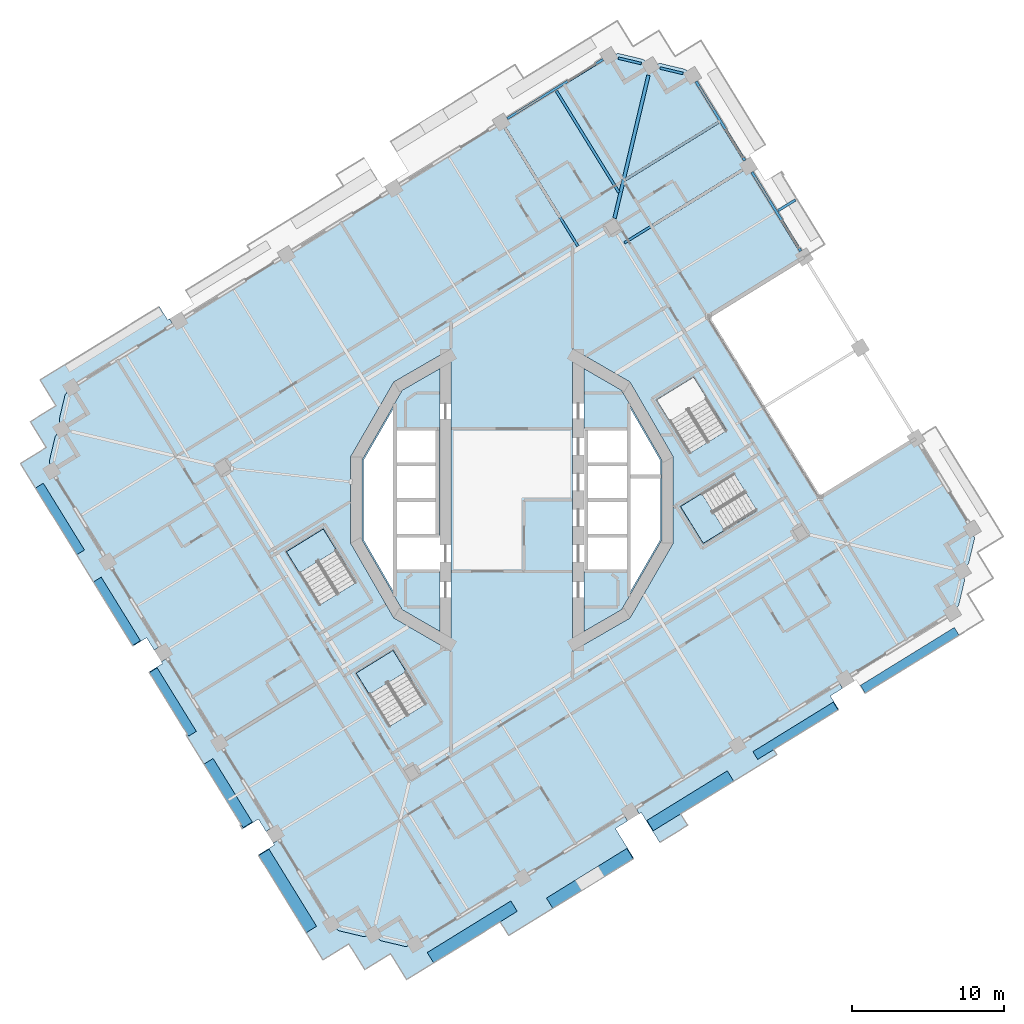
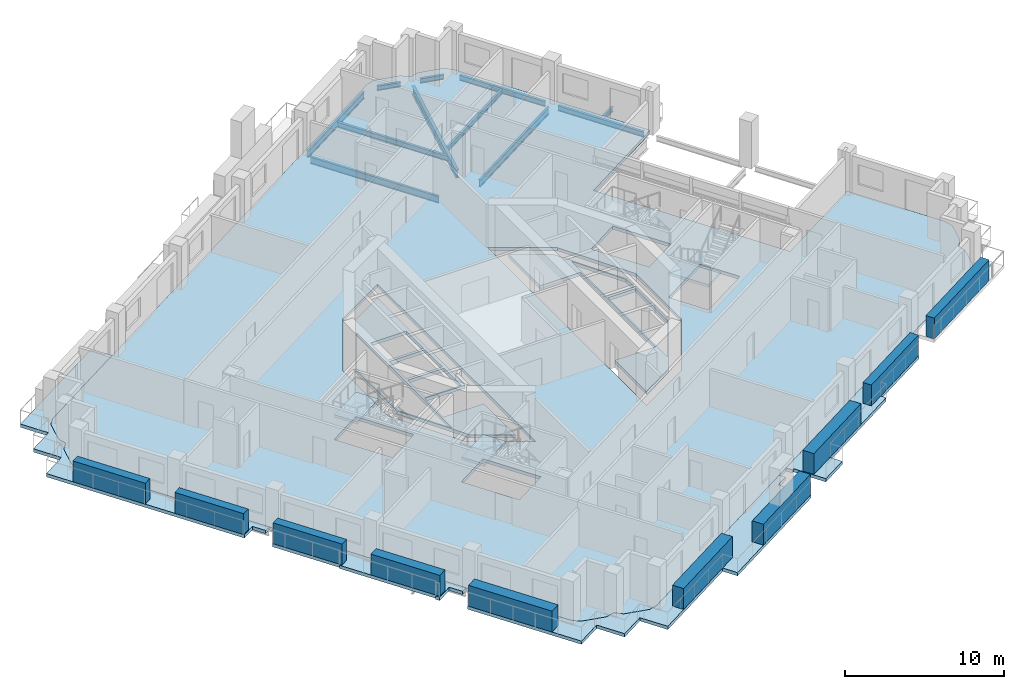
# One storey, part 5 of 21: 11 beams, 10 plates, 10 slabs, 3 elements without a shape of their own.
"""IFC4 building model written with IfcOpenShell, lengths in metres."""

from ifc_helpers import new_model, si_unit, direction, frame, origin, origin_2d, place, context, subcontext, project, spatial, polyline, rectangle, i_section, outline, extrude, material, layer, layer_set, material_profile, profile_set, type_object, element, aggregate, save


model = new_model("IFC4")

# Units and contexts
model_context = context("Model", 3, precision=1e-05, world=origin(), true_north=direction((0.0, 1.0)))
body_context = subcontext(model_context, "Body", "Model", "MODEL_VIEW")
ifc_project = project(units=[si_unit("LENGTHUNIT", "METRE"), si_unit("AREAUNIT", "SQUARE_METRE"), si_unit("VOLUMEUNIT", "CUBIC_METRE"), si_unit("PLANEANGLEUNIT", "RADIAN"), si_unit("MASSUNIT", "GRAM", prefix="KILO")], contexts=[model_context])

# Site, building, storey
site_placement = place(None, origin())
site = spatial("IfcSite", under=ifc_project, at=site_placement, CompositionType="ELEMENT")
building_placement = place(site_placement, origin())
building = spatial("IfcBuilding", under=site, at=building_placement, Name="Cantera Rosa Tower", CompositionType="ELEMENT")
storey_placement = place(building_placement, frame((0.0, 0.0, 185.60009765625)))
storey = spatial("IfcBuildingStorey", under=building, at=storey_placement, Name="L41", CompositionType="ELEMENT", Elevation=185.60009765625)

# Beams
ifc_material_1 = material(Name="Steel ASTM A992 (Fy 345 MPa)", Category="steel")
ifc_material_profile_1 = material_profile(ifc_material_1, i_section(OverallWidth=0.166015625, OverallDepth=0.528076171875, WebThickness=0.009765625, FlangeThickness=0.013671875, FilletRadius=0.0126953125, at=origin_2d()), Name="W530X74")
ifc_profile_set_1 = profile_set([ifc_material_profile_1], Name="Steel ASTM A992 (Fy 345 MPa)")
beam_type_1 = type_object("IfcBeamType", Name="STEEL BEAM W530X74", PredefinedType="BEAM", material=ifc_profile_set_1)
beam_1_placement = place(storey_placement, frame((15.19677734375, 21.745361328125, -0.51416015625), z_axis=(-0.851123779764, -0.524965057427, 0.0), x_axis=(0.524965057427, -0.851123779764, 0.0)))
element("IfcBeam", 1, at=beam_1_placement, inside=storey, type_object=beam_type_1, Name="G-Z3-04 L41", PredefinedType="BEAM", context=body_context, shape_type="SweptSolid", body=[
    extrude(i_section(OverallWidth=0.166015625, OverallDepth=0.528076171875, WebThickness=0.009765625, FlangeThickness=0.013671875, FilletRadius=0.0126953125, at=origin_2d()), origin(), (0.0, 0.0, 1.0), 9.150146484375),
])
beam_2_placement = place(storey_placement, frame((-0.455078125, 24.51025390625, -0.51416015625), z_axis=(0.524976979362, -0.851116426313, 0.0), x_axis=(0.851116426313, 0.524976979362, 0.0)))
element("IfcBeam", 2, at=beam_2_placement, inside=storey, type_object=beam_type_1, Name="G-Z3-05 L41", PredefinedType="BEAM", context=body_context, shape_type="SweptSolid", body=[
    extrude(i_section(OverallWidth=0.166015625, OverallDepth=0.528076171875, WebThickness=0.009765625, FlangeThickness=0.013671875, FilletRadius=0.0126953125, at=origin_2d()), origin(), (0.0, 0.0, 1.0), 9.14990234375),
])
ifc_material_2 = material(Name="Steel ASTM A992 (Fy 345 MPa)", Category="steel")
ifc_material_profile_2 = material_profile(ifc_material_2, i_section(OverallWidth=0.22802734375, OverallDepth=0.60205078125, WebThickness=0.010498046875, FlangeThickness=0.014892578125, FilletRadius=0.0126953125, at=origin_2d()), Name="W610X101")
ifc_profile_set_2 = profile_set([ifc_material_profile_2], Name="Steel ASTM A992 (Fy 345 MPa)")
beam_type_2 = type_object("IfcBeamType", Name="STEEL BEAM W610X101", PredefinedType="BEAM", material=ifc_profile_set_2)
beam_3_placement = place(storey_placement, frame((8.995361328125, 27.989501953125, -0.551025390625), z_axis=(-0.230622120091, -0.973043389436, 0.0), x_axis=(0.973043389436, -0.230622120091, 0.0)))
element("IfcBeam", 3, at=beam_3_placement, inside=storey, type_object=beam_type_2, Name="CB-Z3-01 L41", PredefinedType="BEAM", context=body_context, shape_type="SweptSolid", body=[
    extrude(i_section(OverallWidth=0.22802734375, OverallDepth=0.60205078125, WebThickness=0.010498046875, FlangeThickness=0.014892578125, FilletRadius=0.0126953125, at=origin_2d()), origin(), (0.0, 0.0, 1.0), 9.6875),
])
ifc_material_3 = material(Name="Steel ASTM A992 (Fy 345 MPa)", Category="steel")
ifc_material_profile_3 = material_profile(ifc_material_3, i_section(OverallWidth=0.1708984375, OverallDepth=0.35595703125, WebThickness=0.00732421875, FlangeThickness=0.01171875, FilletRadius=0.010009765625, at=origin_2d()), Name="W360X51")
ifc_profile_set_3 = profile_set([ifc_material_profile_3], Name="Steel ASTM A992 (Fy 345 MPa)")
beam_type_3 = type_object("IfcBeamType", Name="STEEL JOIST W360X51", PredefinedType="JOIST", material=ifc_profile_set_3)
beam_4_placement = place(storey_placement, frame((13.609375, 24.890380859375, -0.427978515625), z_axis=(-0.851109089911, -0.524988873283, 0.0), x_axis=(0.524988873283, -0.851109089911, 0.0)))
element("IfcBeam", 4, at=beam_4_placement, inside=storey, type_object=beam_type_3, Name="B-Z3-05 L41", PredefinedType="JOIST", context=body_context, shape_type="SweptSolid", body=[
    extrude(i_section(OverallWidth=0.1708984375, OverallDepth=0.35595703125, WebThickness=0.00732421875, FlangeThickness=0.01171875, FilletRadius=0.010009765625, at=origin_2d()), origin(), (0.0, 0.0, 1.0), 7.2099609375),
])
beam_5_placement = place(storey_placement, frame((17.532958984375, 19.0625, -0.427978515625), z_axis=(0.851111635158, 0.52498474692, 0.0), x_axis=(-0.52498474692, 0.851111635158, 0.0)))
element("IfcBeam", 5, at=beam_5_placement, inside=storey, type_object=beam_type_3, Name="BS-Z3-28 L41", PredefinedType="JOIST", context=body_context, shape_type="SweptSolid", body=[
    extrude(i_section(OverallWidth=0.1708984375, OverallDepth=0.35595703125, WebThickness=0.00732421875, FlangeThickness=0.01171875, FilletRadius=0.010009765625, at=origin_2d()), origin(), (0.0, 0.0, 1.0), 1.3505859375),
])
ifc_material_4 = material(Name="Steel ASTM A992 (Fy 345 MPa)", Category="steel")
ifc_material_profile_4 = material_profile(ifc_material_4, i_section(OverallWidth=0.177978515625, OverallDepth=0.406005859375, WebThickness=0.0078125, FlangeThickness=0.0126953125, FilletRadius=0.01025390625, at=origin_2d()), Name="W410X60")
ifc_profile_set_4 = profile_set([ifc_material_profile_4], Name="Steel ASTM A992 (Fy 345 MPa)")
beam_type_4 = type_object("IfcBeamType", Name="STEEL JOIST W410X60", PredefinedType="JOIST", material=ifc_profile_set_4)
beam_6_placement = place(storey_placement, frame((2.927978515625, 26.949462890625, -0.453125), z_axis=(0.524994840515, -0.85110540912, 0.0), x_axis=(0.85110540912, 0.524994840515, 0.0)))
element("IfcBeam", 6, at=beam_6_placement, inside=storey, type_object=beam_type_4, Name="B-Z3-06 L41", PredefinedType="JOIST", context=body_context, shape_type="SweptSolid", body=[
    extrude(i_section(OverallWidth=0.177978515625, OverallDepth=0.406005859375, WebThickness=0.0078125, FlangeThickness=0.0126953125, FilletRadius=0.01025390625, at=origin_2d()), origin(), (0.0, 0.0, 1.0), 7.860107421875),
])
ifc_material_5 = material(Name="Steel ASTM A992 (Fy 345 MPa)", Category="steel")
ifc_material_profile_5 = material_profile(ifc_material_5, i_section(OverallWidth=0.1708984375, OverallDepth=0.35595703125, WebThickness=0.00732421875, FlangeThickness=0.01171875, FilletRadius=0.010009765625, at=origin_2d()), Name="W360X51")
ifc_profile_set_5 = profile_set([ifc_material_profile_5], Name="Steel ASTM A992 (Fy 345 MPa)")
beam_type_5 = type_object("IfcBeamType", Name="STEEL SPANDREL BEAM W360X51", PredefinedType="SPANDREL", material=ifc_profile_set_5)
for number, where, z_axis, x_axis, name in (
    (7, (11.275146484375, 28.103271484375, -0.427978515625), (-0.973059906546, 0.230552419793, 0.0), (-0.230552419793, -0.973059906546, 0.0), "EB-Z3-06 L41"),
    (8, (8.52294921875, 28.755615234375, -0.427978515625), (-0.973059906546, 0.230552419793, 0.0), (-0.230552419793, -0.973059906546, 0.0), "EB-Z3-07 L41"),
):
    element("IfcBeam", number, at=place(storey_placement, frame(where, z_axis=z_axis, x_axis=x_axis)), inside=storey, type_object=beam_type_5, Name=name, PredefinedType="SPANDREL", context=body_context, shape_type="SweptSolid", body=[
        extrude(i_section(OverallWidth=0.1708984375, OverallDepth=0.35595703125, WebThickness=0.00732421875, FlangeThickness=0.01171875, FilletRadius=0.010009765625, at=origin_2d()), origin(), (0.0, 0.0, 1.0), 1.5556640625),
    ])
ifc_material_6 = material(Name="Steel ASTM A992 (Fy 345 MPa)", Category="steel")
ifc_material_profile_6 = material_profile(ifc_material_6, i_section(OverallWidth=0.177978515625, OverallDepth=0.406005859375, WebThickness=0.0078125, FlangeThickness=0.0126953125, FilletRadius=0.01025390625, at=origin_2d()), Name="W410X60")
ifc_profile_set_6 = profile_set([ifc_material_profile_6], Name="Steel ASTM A992 (Fy 345 MPa)")
beam_type_6 = type_object("IfcBeamType", Name="STEEL SPANDREL BEAM W410X60", PredefinedType="SPANDREL", material=ifc_profile_set_6)
for number, where, z_axis, x_axis, name in (
    (9, (19.02880859375, 16.389892578125, -0.453125), (-0.524987447654, 0.851109969279, 0.0), (-0.851109969279, -0.524987447654, 0.0), "EB-Z3-04 L41"),
    (10, (15.343505859375, 22.36474609375, -0.453125), (-0.524987447654, 0.851109969279, 0.0), (-0.851109969279, -0.524987447654, 0.0), "EB-Z3-05 L41"),
):
    element("IfcBeam", number, at=place(storey_placement, frame(where, z_axis=z_axis, x_axis=x_axis)), inside=storey, type_object=beam_type_6, Name=name, PredefinedType="SPANDREL", context=body_context, shape_type="SweptSolid", body=[
        extrude(i_section(OverallWidth=0.177978515625, OverallDepth=0.406005859375, WebThickness=0.0078125, FlangeThickness=0.0126953125, FilletRadius=0.01025390625, at=origin_2d()), origin(), (0.0, 0.0, 1.0), 6.119873046875),
    ])
ifc_material_7 = material(Name="Steel ASTM A992 (Fy 345 MPa)", Category="steel")
ifc_material_profile_7 = material_profile(ifc_material_7, i_section(OverallWidth=0.166015625, OverallDepth=0.528076171875, WebThickness=0.009765625, FlangeThickness=0.013671875, FilletRadius=0.0126953125, at=origin_2d()), Name="W530X74")
ifc_profile_set_7 = profile_set([ifc_material_profile_7], Name="Steel ASTM A992 (Fy 345 MPa)")
beam_type_7 = type_object("IfcBeamType", Name="STEEL SPANDREL BEAM W530X74", PredefinedType="SPANDREL", material=ifc_profile_set_7)
beam_7_placement = place(storey_placement, frame((6.007080078125, 29.02490234375, -0.51416015625), z_axis=(-0.851111085575, -0.524985637909, 0.0), x_axis=(0.524985637909, -0.851111085575, 0.0)))
element("IfcBeam", 11, at=beam_7_placement, inside=storey, type_object=beam_type_7, Name="EB-Z3-08 L41", PredefinedType="SPANDREL", context=body_context, shape_type="SweptSolid", body=[
    extrude(i_section(OverallWidth=0.166015625, OverallDepth=0.528076171875, WebThickness=0.009765625, FlangeThickness=0.013671875, FilletRadius=0.0126953125, at=origin_2d()), origin(), (0.0, 0.0, 1.0), 7.420166015625),
])

# Slabs
ifc_material_8 = material(Name="Concrete C35/45", Category="concrete")
ifc_layer_1 = layer(ifc_material_8, 0.25)
ifc_layer_set_1 = layer_set([ifc_layer_1], Name="COMPOSITE FLOOR SLAB 250 C35/45")
slab_type_1 = type_object("IfcSlabType", Name="COMPOSITE FLOOR SLAB 250 C35/45", PredefinedType="FLOOR", material=ifc_layer_set_1)
slab_1_placement = place(storey_placement, frame((0.0, 0.0, -0.25)))
element("IfcSlab", 12, at=slab_1_placement, inside=storey, type_object=slab_type_1, Name="SLAB L41 floor 1", PredefinedType="FLOOR", context=body_context, shape_type="SweptSolid", body=[
    extrude(outline(polyline([(-7.699951171875, -2.35009765625), (-7.699951171875, -4.699951171875), (-4.75, -4.699951171875), (-4.75, -8.660400390625), (-7.22900390625, -7.22900390625), (-9.875244140625, -2.64599609375), (-9.875244140625, 2.64599609375), (-7.22900390625, 7.22900390625), (-4.75, 8.660400390625), (-4.75, -2.35009765625), (-7.699951171875, -2.35009765625)]), holes=[polyline([(-7.60009765625, -0.10009765625), (-7.60009765625, -2.25), (-5.0, -2.25), (-5.0, -0.10009765625), (-7.60009765625, -0.10009765625)]), polyline([(-7.800048828125, 6.040283203125), (-9.775146484375, 2.619384765625), (-9.775146484375, -2.619384765625), (-7.800048828125, -6.040283203125), (-7.800048828125, 6.040283203125)]), polyline([(-5.0, 2.25), (-7.60009765625, 2.25), (-7.60009765625, 0.10009765625), (-5.0, 0.10009765625), (-5.0, 2.25)]), polyline([(-5.0, 4.60009765625), (-7.60009765625, 4.60009765625), (-7.60009765625, 2.449951171875), (-5.0, 2.449951171875), (-5.0, 4.60009765625)])]), origin(), (0.0, 0.0, 1.0), 0.25),
])
slab_2_placement = place(storey_placement, frame((0.0, 0.0, -0.25)))
element("IfcSlab", 13, at=slab_2_placement, inside=storey, type_object=slab_type_1, Name="SLAB L41 floor 2", PredefinedType="FLOOR", context=body_context, shape_type="SweptSolid", body=[
    extrude(outline(polyline([(-8.647705078125, -29.0283203125), (-8.673828125, -29.014892578125), (-8.698486328125, -28.998779296875), (-8.721435546875, -28.98046875), (-9.14208984375, -28.60888671875), (-9.684814453125, -28.752197265625), (-9.713623046875, -28.75830078125), (-9.742919921875, -28.761474609375), (-9.772216796875, -28.76171875), (-9.801513671875, -28.75927734375), (-9.83056640625, -28.75390625), (-11.34423828125, -28.395263671875), (-11.37255859375, -28.386962890625), (-11.39990234375, -28.376220703125), (-11.426025390625, -28.362548828125), (-11.45068359375, -28.346435546875), (-11.4736328125, -28.328125), (-11.894287109375, -27.95654296875), (-12.408935546875, -27.122314453125), (-30.321044921875, 1.917724609375), (-30.46435546875, 2.460205078125), (-30.470458984375, 2.489013671875), (-30.4736328125, 2.518310546875), (-30.47412109375, 2.5478515625), (-30.4716796875, 2.5771484375), (-30.46630859375, 2.606201171875), (-30.107421875, 4.119873046875), (-30.09912109375, 4.148193359375), (-30.08837890625, 4.17529296875), (-30.07470703125, 4.20166015625), (-30.05859375, 4.226318359375), (-30.040283203125, 4.249267578125), (-29.668701171875, 4.669921875), (-29.81201171875, 5.21240234375), (-29.818115234375, 5.2412109375), (-29.8212890625, 5.2705078125), (-29.82177734375, 5.300048828125), (-29.8193359375, 5.329345703125), (-29.81396484375, 5.3583984375), (-29.455078125, 6.8720703125), (-29.447021484375, 6.900390625), (-29.43603515625, 6.927490234375), (-29.422607421875, 6.953857421875), (-29.406494140625, 6.978515625), (-29.38818359375, 7.00146484375), (-29.0166015625, 7.422119140625), (6.389892578125, 29.260986328125), (6.9326171875, 29.404296875), (6.96142578125, 29.410400390625), (6.99072265625, 29.413818359375), (7.02001953125, 29.4140625), (7.049560546875, 29.41162109375), (7.078369140625, 29.40625), (8.592041015625, 29.047607421875), (8.620361328125, 29.039306640625), (8.647705078125, 29.0283203125), (8.673828125, 29.014892578125), (8.698486328125, 28.998779296875), (8.721435546875, 28.98046875), (9.14208984375, 28.60888671875), (9.684814453125, 28.752197265625), (9.713623046875, 28.75830078125), (9.742919921875, 28.761474609375), (9.772216796875, 28.76171875), (9.801513671875, 28.75927734375), (9.83056640625, 28.75390625), (11.34423828125, 28.395263671875), (11.37255859375, 28.386962890625), (11.39990234375, 28.376220703125), (11.426025390625, 28.362548828125), (11.45068359375, 28.346435546875), (11.4736328125, 28.328125), (11.894287109375, 27.95654296875), (19.264892578125, 16.0068359375), (12.881591796875, 12.069580078125), (20.252197265625, 0.119873046875), (26.6357421875, 4.05712890625), (30.321044921875, -1.917724609375), (30.46435546875, -2.460205078125), (30.470458984375, -2.489013671875), (30.4736328125, -2.518310546875), (30.47412109375, -2.5478515625), (30.4716796875, -2.5771484375), (30.46630859375, -2.606201171875), (30.107421875, -4.119873046875), (30.09912109375, -4.148193359375), (30.08837890625, -4.17529296875), (30.07470703125, -4.20166015625), (30.05859375, -4.226318359375), (30.040283203125, -4.249267578125), (29.668701171875, -4.669921875), (29.81201171875, -5.21240234375), (29.818115234375, -5.2412109375), (29.8212890625, -5.2705078125), (29.82177734375, -5.300048828125), (29.8193359375, -5.329345703125), (29.81396484375, -5.3583984375), (29.455078125, -6.8720703125), (29.447021484375, -6.900390625), (29.43603515625, -6.927490234375), (29.422607421875, -6.953857421875), (29.406494140625, -6.978515625), (29.38818359375, -7.00146484375), (29.0166015625, -7.422119140625), (28.18212890625, -7.9365234375), (-6.389892578125, -29.260986328125), (-6.9326171875, -29.404296875), (-6.96142578125, -29.410400390625), (-6.99072265625, -29.413818359375), (-7.02001953125, -29.4140625), (-7.049560546875, -29.41162109375), (-7.078369140625, -29.40625), (-8.592041015625, -29.047607421875), (-8.620361328125, -29.039306640625), (-8.647705078125, -29.0283203125)]), holes=[polyline([(-5.658447265625, -13.433349609375), (-7.830810546875, -9.911376953125), (-10.256591796875, -11.407470703125), (-8.084228515625, -14.929443359375), (-5.658447265625, -13.433349609375)]), polyline([(-10.258544921875, -5.433349609375), (-12.430908203125, -1.911376953125), (-14.8564453125, -3.407470703125), (-12.68408203125, -6.929443359375), (-10.258544921875, -5.433349609375)]), polyline([(-7.7783203125, 7.7783203125), (-10.625244140625, 2.846923828125), (-10.625244140625, -2.846923828125), (-7.7783203125, -7.7783203125), (-4.0, -9.95947265625), (-4.0, 9.95947265625), (-7.7783203125, 7.7783203125)]), polyline([(14.63330078125, 1.741455078125), (11.111328125, -0.430908203125), (12.607421875, -2.8564453125), (16.12939453125, -0.68408203125), (14.63330078125, 1.741455078125)]), polyline([(7.7783203125, -7.7783203125), (10.625244140625, -2.846923828125), (10.625244140625, 2.846923828125), (7.7783203125, 7.7783203125), (4.0, 9.95947265625), (4.0, -9.95947265625), (7.7783203125, -7.7783203125)]), polyline([(11.7158203125, 3.070556640625), (14.1416015625, 4.566650390625), (11.96923828125, 8.088623046875), (9.54345703125, 6.592529296875), (11.7158203125, 3.070556640625)])]), origin(), (0.0, 0.0, 1.0), 0.25),
])
slab_3_placement = place(storey_placement, frame((0.0, 0.0, -0.25)))
element("IfcSlab", 14, at=slab_3_placement, inside=storey, type_object=slab_type_1, Name="SLAB L41 floor 3", PredefinedType="FLOOR", context=body_context, shape_type="SweptSolid", body=[
    extrude(outline(polyline([(7.699951171875, 0.0), (7.699951171875, 2.35009765625), (7.699951171875, 4.699951171875), (4.75, 4.699951171875), (4.75, 8.660400390625), (7.22900390625, 7.22900390625), (9.875244140625, 2.64599609375), (9.875244140625, -2.64599609375), (7.22900390625, -7.22900390625), (4.75, -8.660400390625), (4.75, -4.699951171875), (7.699951171875, -4.699951171875), (7.699951171875, -2.35009765625), (7.699951171875, 0.0)]), holes=[polyline([(9.775146484375, -2.619384765625), (9.775146484375, 1.439208984375), (7.800048828125, 1.439208984375), (7.800048828125, -2.25), (7.800048828125, -2.449951171875), (7.800048828125, -6.040283203125), (9.775146484375, -2.619384765625)]), polyline([(9.775146484375, 1.639404296875), (9.775146484375, 2.619384765625), (7.800048828125, 6.040283203125), (7.800048828125, 2.449951171875), (7.800048828125, 2.25), (7.800048828125, 1.639404296875), (9.775146484375, 1.639404296875)])]), origin(), (0.0, 0.0, 1.0), 0.25),
])
ifc_material_9 = material(Name="Concrete C35/45", Category="concrete")
ifc_layer_2 = layer(ifc_material_9, 0.25)
ifc_layer_set_2 = layer_set([ifc_layer_2], Name="LOGGIA SLAB 250 C35/45")
slab_type_2 = type_object("IfcSlabType", Name="LOGGIA SLAB 250 C35/45", PredefinedType="FLOOR", material=ifc_layer_set_2)
slab_4_placement = place(storey_placement, frame((0.0, 0.0, -0.25)))
element("IfcSlab", 15, at=slab_4_placement, inside=storey, type_object=slab_type_2, Name="LOGGIA SLAB L41 1", PredefinedType="FLOOR", context=body_context, shape_type="SweptSolid", body=[
    extrude(outline(polyline([(-28.69970703125, -3.568115234375), (-31.59765625, 1.130126953125), (-32.38525390625, 2.406982421875), (-31.1083984375, 3.1943359375), (-30.682861328125, 3.456787109375), (-30.9453125, 3.88232421875), (-31.73291015625, 5.1591796875), (-30.456298828125, 5.946533203125), (-30.03076171875, 6.208984375), (-30.293212890625, 6.634521484375), (-31.08056640625, 7.911376953125), (-29.803955078125, 8.69873046875), (-23.999267578125, 12.279052734375), (-23.2333984375, 12.75146484375), (-22.68212890625, 11.85791015625), (-22.554443359375, 11.9365234375), (-22.318115234375, 11.5537109375), (-29.0166015625, 7.422119140625), (-29.38818359375, 7.00146484375), (-29.406494140625, 6.978515625), (-29.422607421875, 6.953857421875), (-29.43603515625, 6.927490234375), (-29.447021484375, 6.900390625), (-29.455078125, 6.8720703125), (-29.81396484375, 5.3583984375), (-29.8193359375, 5.329345703125), (-29.82177734375, 5.300048828125), (-29.8212890625, 5.2705078125), (-29.818115234375, 5.2412109375), (-29.81201171875, 5.21240234375), (-29.668701171875, 4.669921875), (-30.040283203125, 4.249267578125), (-30.05859375, 4.226318359375), (-30.07470703125, 4.20166015625), (-30.08837890625, 4.17529296875), (-30.09912109375, 4.148193359375), (-30.107421875, 4.119873046875), (-30.46630859375, 2.606201171875), (-30.4716796875, 2.5771484375), (-30.47412109375, 2.5478515625), (-30.4736328125, 2.518310546875), (-30.470458984375, 2.489013671875), (-30.46435546875, 2.460205078125), (-30.321044921875, 1.917724609375), (-23.1865234375, -9.64892578125), (-23.569580078125, -9.88525390625), (-24.068359375, -9.07666015625), (-24.9619140625, -9.6279296875), (-25.014404296875, -9.542724609375), (-27.125, -6.121337890625), (-28.69970703125, -3.568115234375)])), origin(), (0.0, 0.0, 1.0), 0.25),
])
slab_5_placement = place(storey_placement, frame((0.0, 0.0, -0.25)))
element("IfcSlab", 16, at=slab_5_placement, inside=storey, type_object=slab_type_2, Name="LOGGIA SLAB L41 2", PredefinedType="FLOOR", context=body_context, shape_type="SweptSolid", body=[
    extrude(outline(polyline([(-21.46728515625, -15.48486328125), (-21.3818359375, -15.432373046875), (-23.439697265625, -12.09619140625), (-23.912109375, -11.330078125), (-23.018310546875, -10.77880859375), (-23.09716796875, -10.651123046875), (-22.714111328125, -10.4150390625), (-15.81591796875, -21.5986328125), (-16.198974609375, -21.8349609375), (-16.69775390625, -21.0263671875), (-17.76171875, -21.6826171875), (-17.9189453125, -21.42724609375), (-17.834228515625, -21.375), (-21.46728515625, -15.48486328125)])), origin(), (0.0, 0.0, 1.0), 0.25),
])
slab_6_placement = place(storey_placement, frame((0.0, 0.0, -0.25)))
element("IfcSlab", 17, at=slab_6_placement, inside=storey, type_object=slab_type_2, Name="LOGGIA SLAB L41 4", PredefinedType="FLOOR", context=body_context, shape_type="SweptSolid", body=[
    extrude(outline(polyline([(-5.49755859375, -30.7080078125), (-6.9443359375, -31.600341796875), (-7.8369140625, -30.153564453125), (-7.994384765625, -29.898193359375), (-8.249755859375, -30.0556640625), (-9.696533203125, -30.9482421875), (-10.589111328125, -29.501220703125), (-10.74658203125, -29.245849609375), (-11.001953125, -29.4033203125), (-12.44873046875, -30.2958984375), (-13.34130859375, -28.84912109375), (-16.711669921875, -23.384765625), (-15.647705078125, -22.728515625), (-15.7265625, -22.600830078125), (-15.343505859375, -22.36474609375), (-12.408935546875, -27.122314453125), (-11.894287109375, -27.95654296875), (-11.4736328125, -28.328125), (-11.45068359375, -28.346435546875), (-11.426025390625, -28.362548828125), (-11.39990234375, -28.376220703125), (-11.37255859375, -28.386962890625), (-11.34423828125, -28.395263671875), (-9.83056640625, -28.75390625), (-9.801513671875, -28.75927734375), (-9.772216796875, -28.76171875), (-9.742919921875, -28.761474609375), (-9.713623046875, -28.75830078125), (-9.684814453125, -28.752197265625), (-9.14208984375, -28.60888671875), (-8.721435546875, -28.98046875), (-8.698486328125, -28.998779296875), (-8.673828125, -29.014892578125), (-8.647705078125, -29.0283203125), (-8.620361328125, -29.039306640625), (-8.592041015625, -29.047607421875), (-7.078369140625, -29.40625), (-7.049560546875, -29.41162109375), (-7.02001953125, -29.4140625), (-6.99072265625, -29.413818359375), (-6.96142578125, -29.410400390625), (-6.9326171875, -29.404296875), (-6.389892578125, -29.260986328125), (7.3896484375, -20.76171875), (7.625732421875, -21.144775390625), (6.8173828125, -21.643310546875), (8.03369140625, -23.615478515625), (-0.211181640625, -28.701171875), (-0.771484375, -27.79296875), (-5.49755859375, -30.7080078125)])), origin(), (0.0, 0.0, 1.0), 0.25),
])
slab_7_placement = place(storey_placement, frame((0.0, 0.0, -0.25)))
element("IfcSlab", 18, at=slab_7_placement, inside=storey, type_object=slab_type_2, Name="LOGGIA SLAB L41 6", PredefinedType="FLOOR", context=body_context, shape_type="SweptSolid", body=[
    extrude(outline(polyline([(8.391845703125, -20.672119140625), (8.155517578125, -20.289306640625), (21.55224609375, -12.026123046875), (21.788330078125, -12.4091796875), (20.97998046875, -12.90771484375), (21.531005859375, -13.801513671875), (21.446044921875, -13.85400390625), (17.249267578125, -16.442626953125), (17.45361328125, -16.773681640625), (11.119384765625, -20.6806640625), (11.580322265625, -21.427978515625), (9.736083984375, -22.565673828125), (8.51953125, -20.593505859375), (8.391845703125, -20.672119140625)])), origin(), (0.0, 0.0, 1.0), 0.25),
])

# Plates
ifc_material_10 = material(Name="Cantera stone planter with soil", Category="masonry")
plate_type_1 = type_object("IfcPlateType", Name="PLANTER 600", PredefinedType="USERDEFINED", material=ifc_material_10)
plate_1_placement = place(storey_placement, frame((-29.775390625, -1.2529296875, -0.000244140625), z_axis=(0.0, 0.0, 1.0), x_axis=(0.52497658034, -0.851116672434, 0.0)))
element("IfcPlate", 19, at=plate_1_placement, inside=storey, type_object=plate_type_1, Name="PLANTER L41-11", ObjectType="PLANTER", PredefinedType="USERDEFINED", context=body_context, shape_type="SweptSolid", body=[
    extrude(rectangle(XDim=5.169921875, YDim=0.60009765625, at=origin_2d()), origin(), (0.0, 0.0, 1.0), 1.60009765625),
])
for number, where, z_axis, x_axis, name in (
    (20, (-26.0244140625, -7.333984375, -0.000244140625), (0.0, 0.0, 1.0), (0.52497658034, -0.851116672434, 0.0), "PLANTER L41-12"),
    (21, (-22.339111328125, -13.308837890625, -0.000244140625), (0.0, 0.0, 1.0), (0.52497658034, -0.851116672434, 0.0), "PLANTER L41-13"),
):
    element("IfcPlate", number, at=place(storey_placement, frame(where, z_axis=z_axis, x_axis=x_axis)), inside=storey, type_object=plate_type_1, Name=name, ObjectType="PLANTER", PredefinedType="USERDEFINED", context=body_context, shape_type="SweptSolid", body=[
        extrude(rectangle(XDim=4.919921875, YDim=0.60009765625, at=origin_2d()), origin(), (0.0, 0.0, 1.0), 1.60009765625),
    ])
plate_2_placement = place(storey_placement, frame((18.68408203125, -15.205078125, -0.000244140625), z_axis=(0.0, 0.0, 1.0), x_axis=(0.851116672434, 0.52497658034, 0.0)))
element("IfcPlate", 22, at=plate_2_placement, inside=storey, type_object=plate_type_1, Name="PLANTER L41-19", ObjectType="PLANTER", PredefinedType="USERDEFINED", context=body_context, shape_type="SweptSolid", body=[
    extrude(rectangle(XDim=6.219970703125, YDim=0.60009765625, at=origin_2d()), origin(), (0.0, 0.0, 1.0), 1.60009765625),
])
plate_3_placement = place(storey_placement, frame((26.212158203125, -10.561767578125, -0.000244140625), z_axis=(0.0, 0.0, 1.0), x_axis=(0.851116672434, 0.52497658034, 0.0)))
element("IfcPlate", 23, at=plate_3_placement, inside=storey, type_object=plate_type_1, Name="PLANTER L41-20", ObjectType="PLANTER", PredefinedType="USERDEFINED", context=body_context, shape_type="SweptSolid", body=[
    extrude(rectangle(XDim=7.27001953125, YDim=0.60009765625, at=origin_2d()), origin(), (0.0, 0.0, 1.0), 1.60009765625),
])
ifc_material_11 = material(Name="Cantera stone planter with soil", Category="masonry")
plate_type_2 = type_object("IfcPlateType", Name="PLANTER 700", PredefinedType="USERDEFINED", material=ifc_material_11)
plate_4_placement = place(storey_placement, frame((-18.696533203125, -19.310302734375, -0.000244140625), z_axis=(0.0, 0.0, 1.0), x_axis=(0.52497658034, -0.851116672434, 0.0)))
element("IfcPlate", 24, at=plate_4_placement, inside=storey, type_object=plate_type_2, Name="PLANTER L41-14", ObjectType="PLANTER", PredefinedType="USERDEFINED", context=body_context, shape_type="SweptSolid", body=[
    extrude(rectangle(XDim=4.919921875, YDim=0.699951171875, at=origin_2d()), origin(), (0.0, 0.0, 1.0), 1.60009765625),
])
ifc_material_12 = material(Name="Cantera stone planter with soil", Category="masonry")
plate_type_3 = type_object("IfcPlateType", Name="PLANTER 800", PredefinedType="USERDEFINED", material=ifc_material_12)
plate_5_placement = place(storey_placement, frame((-14.77783203125, -25.758056640625, -0.000244140625), z_axis=(0.0, 0.0, 1.0), x_axis=(0.52497658034, -0.851116672434, 0.0)))
element("IfcPlate", 25, at=plate_5_placement, inside=storey, type_object=plate_type_3, Name="PLANTER L41-15", ObjectType="PLANTER", PredefinedType="USERDEFINED", context=body_context, shape_type="SweptSolid", body=[
    extrude(rectangle(XDim=5.969970703125, YDim=0.800048828125, at=origin_2d()), origin(), (0.0, 0.0, 1.0), 1.60009765625),
])
plate_6_placement = place(storey_placement, frame((-2.61376953125, -28.459228515625, -0.000244140625), z_axis=(0.0, 0.0, 1.0), x_axis=(0.851116672434, 0.52497658034, 0.0)))
element("IfcPlate", 26, at=plate_6_placement, inside=storey, type_object=plate_type_3, Name="PLANTER L41-16", ObjectType="PLANTER", PredefinedType="USERDEFINED", context=body_context, shape_type="SweptSolid", body=[
    extrude(rectangle(XDim=6.469970703125, YDim=0.800048828125, at=origin_2d()), origin(), (0.0, 0.0, 1.0), 1.60009765625),
])
for number, where, z_axis, x_axis, name in (
    (27, (5.13427734375, -24.93408203125, -0.000244140625), (0.0, 0.0, 1.0), (0.851116672434, 0.52497658034, 0.0), "PLANTER L41-17"),
    (28, (11.754638671875, -19.81884765625, -0.000244140625), (0.0, 0.0, 1.0), (0.851116672434, 0.52497658034, 0.0), "PLANTER L41-18"),
):
    element("IfcPlate", number, at=place(storey_placement, frame(where, z_axis=z_axis, x_axis=x_axis)), inside=storey, type_object=plate_type_3, Name=name, ObjectType="PLANTER", PredefinedType="USERDEFINED", context=body_context, shape_type="SweptSolid", body=[
        extrude(rectangle(XDim=6.219970703125, YDim=0.800048828125, at=origin_2d()), origin(), (0.0, 0.0, 1.0), 1.60009765625),
    ])

# Stair, slab
ifc_material_13 = material(Name="Concrete C35/45", Category="concrete")
stair_type = type_object("IfcStairType", Name="EXIT STAIR 1350 DOGLEG", PredefinedType="HALF_TURN_STAIR", material=ifc_material_13)
stair_1_placement = place(storey_placement, origin())
stair_1 = element("IfcStair", 29, at=stair_1_placement, inside=storey, type_object=stair_type, Name="L41 ST-32", PredefinedType="HALF_TURN_STAIR")
ifc_material_14 = material(Name="Concrete C35/45", Category="concrete")
ifc_layer_3 = layer(ifc_material_14, 0.199951171875)
ifc_layer_set_3 = layer_set([ifc_layer_3], Name="STAIR LANDING 200")
slab_type_3 = type_object("IfcSlabType", Name="STAIR LANDING 200", PredefinedType="LANDING", material=ifc_layer_set_3)
slab_8_placement = place(storey_placement, frame((0.0, 0.0, 1.699951171875)))
slab_8 = element("IfcSlab", 30, at=slab_8_placement, type_object=slab_type_3, Name="ST-32 landing 1", PredefinedType="LANDING", context=body_context, shape_type="SweptSolid", body=[
    extrude(outline(polyline([(-11.56884765625, -3.308837890625), (-12.430908203125, -1.911376953125), (-14.8564453125, -3.407470703125), (-13.99462890625, -4.80517578125), (-11.56884765625, -3.308837890625)])), origin(), (0.0, 0.0, 1.0), 0.199951171875),
])
aggregate(stair_1, [slab_8])

stair_2_placement = place(storey_placement, origin())
stair_2 = element("IfcStair", 31, at=stair_2_placement, inside=storey, type_object=stair_type, Name="L41 ST-33", PredefinedType="HALF_TURN_STAIR")
slab_9_placement = place(storey_placement, frame((0.0, 0.0, 1.699951171875)))
slab_9 = element("IfcSlab", 32, at=slab_9_placement, type_object=slab_type_3, Name="ST-33 landing 1", PredefinedType="LANDING", context=body_context, shape_type="SweptSolid", body=[
    extrude(outline(polyline([(-6.96875, -11.308837890625), (-7.830810546875, -9.911376953125), (-10.256591796875, -11.407470703125), (-9.39453125, -12.80517578125), (-6.96875, -11.308837890625)])), origin(), (0.0, 0.0, 1.0), 0.199951171875),
])
aggregate(stair_2, [slab_9])

stair_3_placement = place(storey_placement, origin())
stair_3 = element("IfcStair", 33, at=stair_3_placement, inside=storey, type_object=stair_type, Name="L41 ST-34", PredefinedType="HALF_TURN_STAIR")
slab_10_placement = place(storey_placement, frame((0.0, 0.0, 1.699951171875)))
slab_10 = element("IfcSlab", 34, at=slab_10_placement, type_object=slab_type_3, Name="ST-34 landing 1", PredefinedType="LANDING", context=body_context, shape_type="SweptSolid", body=[
    extrude(outline(polyline([(12.5087890625, 0.43115234375), (11.111328125, -0.430908203125), (12.607421875, -2.8564453125), (14.005126953125, -1.99462890625), (12.5087890625, 0.43115234375)])), origin(), (0.0, 0.0, 1.0), 0.199951171875),
])
aggregate(stair_3, [slab_10])

save(model, "model.ifc")
